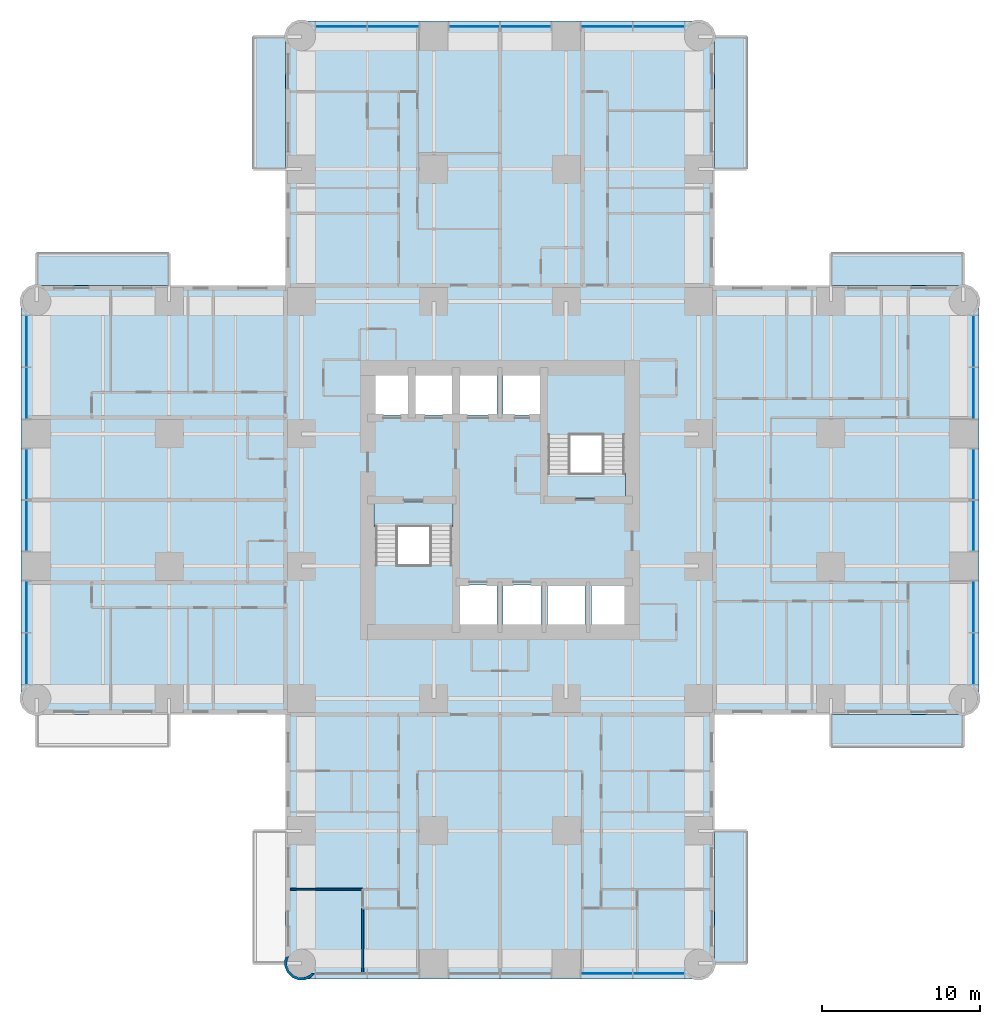
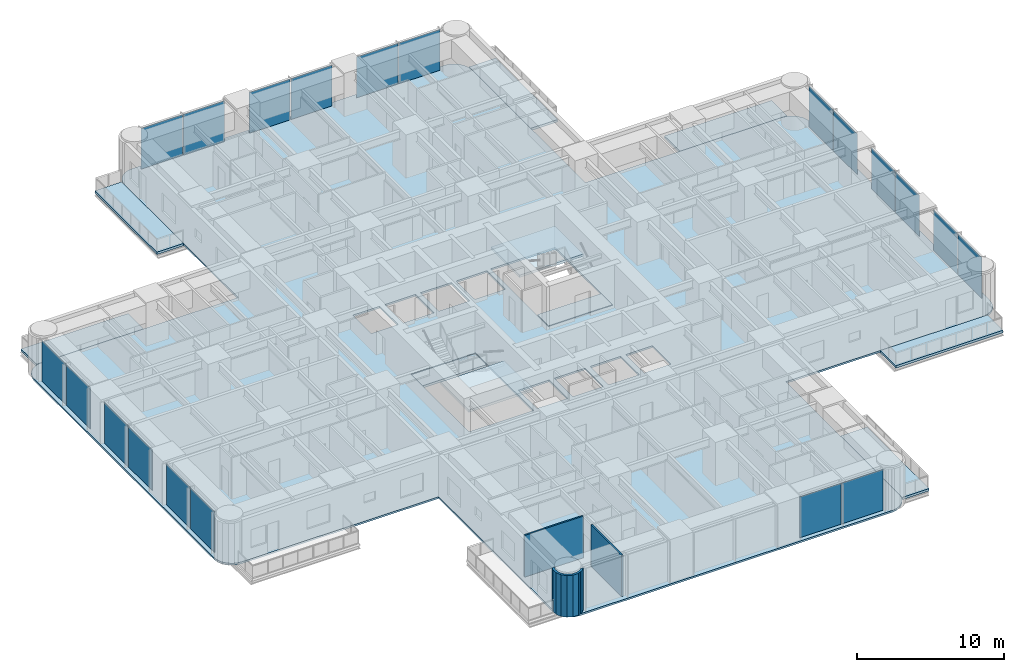
# One storey, part 6 of 17: 20 plates, 11 slabs, 3 walls, 6 elements without a shape of their own.
"""IFC4 building model written with IfcOpenShell, lengths in metres."""

from ifc_helpers import new_model, si_unit, direction, frame, frame_2d, origin, origin_2d, place, context, subcontext, project, spatial, polyline, rectangle, outline, extrude, material, layer, layer_set, type_object, element, aggregate, save


model = new_model("IFC4")

# Units and contexts
model_context = context("Model", 3, precision=1e-05, world=origin(), true_north=direction((0.0, 1.0)))
body_context = subcontext(model_context, "Body", "Model", "MODEL_VIEW")
ifc_project = project(units=[si_unit("LENGTHUNIT", "METRE"), si_unit("AREAUNIT", "SQUARE_METRE"), si_unit("VOLUMEUNIT", "CUBIC_METRE"), si_unit("PLANEANGLEUNIT", "RADIAN"), si_unit("MASSUNIT", "GRAM", prefix="KILO")], contexts=[model_context])

# Site, building, storey
site_placement = place(None, origin())
site = spatial("IfcSite", under=ifc_project, at=site_placement, CompositionType="ELEMENT")
building_placement = place(site_placement, origin())
building = spatial("IfcBuilding", under=site, at=building_placement, Name="Torre Alcanfor", CompositionType="ELEMENT")
storey_placement = place(building_placement, frame((0.0, 0.0, 66.89990234375)))
storey = spatial("IfcBuildingStorey", under=building, at=storey_placement, Name="L16", CompositionType="ELEMENT", Elevation=66.89990234375)

# Slabs
ifc_material_1 = material(Name="Concrete f'c 35 MPa", Category="concrete")
ifc_layer_1 = layer(ifc_material_1, 0.199951171875)
ifc_layer_set_1 = layer_set([ifc_layer_1], Name="Balcony slab 200")
slab_type_1 = type_object("IfcSlabType", Name="Balcony slab 200", PredefinedType="FLOOR", material=ifc_layer_set_1)
slab_1_placement = place(storey_placement, frame((0.0, 0.0, -0.199951171875)))
element("IfcSlab", 1, at=slab_1_placement, inside=storey, type_object=slab_type_1, Name="Balcony L16-N1", PredefinedType="FLOOR", context=body_context, shape_type="SweptSolid", body=[
    extrude(outline(polyline([(15.800048828125, 50.39990234375), (15.800048828125, 58.800048828125), (13.699951171875, 58.800048828125), (13.699951171875, 50.39990234375), (15.800048828125, 50.39990234375)])), origin(), (0.0, 0.0, 1.0), 0.199951171875),
])
slab_2_placement = place(storey_placement, frame((0.0, 0.0, -0.199951171875)))
element("IfcSlab", 2, at=slab_2_placement, inside=storey, type_object=slab_type_1, Name="Balcony L16-N2", PredefinedType="FLOOR", context=body_context, shape_type="SweptSolid", body=[
    extrude(outline(polyline([(45.10009765625, 50.39990234375), (45.10009765625, 58.800048828125), (43.0, 58.800048828125), (43.0, 50.39990234375), (45.10009765625, 50.39990234375)])), origin(), (0.0, 0.0, 1.0), 0.199951171875),
])
slab_3_placement = place(storey_placement, frame((0.0, 0.0, -0.199951171875)))
element("IfcSlab", 3, at=slab_3_placement, inside=storey, type_object=slab_type_1, Name="Balcony L16-E1", PredefinedType="FLOOR", context=body_context, shape_type="SweptSolid", body=[
    extrude(outline(polyline([(50.39990234375, 43.0), (58.800048828125, 43.0), (58.800048828125, 45.10009765625), (50.39990234375, 45.10009765625), (50.39990234375, 43.0)])), origin(), (0.0, 0.0, 1.0), 0.199951171875),
])
slab_4_placement = place(storey_placement, frame((0.0, 0.0, -0.199951171875)))
element("IfcSlab", 4, at=slab_4_placement, inside=storey, type_object=slab_type_1, Name="Balcony L16-E2", PredefinedType="FLOOR", context=body_context, shape_type="SweptSolid", body=[
    extrude(outline(polyline([(50.39990234375, 13.699951171875), (58.800048828125, 13.699951171875), (58.800048828125, 15.800048828125), (50.39990234375, 15.800048828125), (50.39990234375, 13.699951171875)])), origin(), (0.0, 0.0, 1.0), 0.199951171875),
])
slab_5_placement = place(storey_placement, frame((0.0, 0.0, -0.199951171875)))
element("IfcSlab", 5, at=slab_5_placement, inside=storey, type_object=slab_type_1, Name="Balcony L16-S1", PredefinedType="FLOOR", context=body_context, shape_type="SweptSolid", body=[
    extrude(outline(polyline([(43.0, 8.39990234375), (43.0, 0.0), (45.10009765625, 0.0), (45.10009765625, 8.39990234375), (43.0, 8.39990234375)])), origin(), (0.0, 0.0, 1.0), 0.199951171875),
])
slab_6_placement = place(storey_placement, frame((0.0, 0.0, -0.199951171875)))
element("IfcSlab", 6, at=slab_6_placement, inside=storey, type_object=slab_type_1, Name="Balcony L16-W2", PredefinedType="FLOOR", context=body_context, shape_type="SweptSolid", body=[
    extrude(outline(polyline([(8.39990234375, 45.10009765625), (0.0, 45.10009765625), (0.0, 43.0), (8.39990234375, 43.0), (8.39990234375, 45.10009765625)])), origin(), (0.0, 0.0, 1.0), 0.199951171875),
])

# Curtain wall, plates
ifc_material_2 = material(Name="Aluminium and glass", Category="aluminium")
curtain_wall_type = type_object("IfcCurtainWallType", Name="CW-A unitised apartment glazing with vertical FIN", PredefinedType="NOTDEFINED", material=ifc_material_2)
curtain_wall_1_placement = place(storey_placement, origin())
curtain_wall_1 = element("IfcCurtainWall", 7, at=curtain_wall_1_placement, inside=storey, type_object=curtain_wall_type, Name="Curtain wall CW-A L16 2", PredefinedType="NOTDEFINED")
ifc_material_3 = material(Name="Glass", Category="glass")
ifc_layer_2 = layer(ifc_material_3, 0.028076171875)
ifc_layer_set_2 = layer_set([ifc_layer_2], Name="CW-A clear double glazed unit")
plate_type = type_object("IfcPlateType", Name="CW-A clear double glazed unit", PredefinedType="CURTAIN_PANEL", material=ifc_layer_set_2)
plate_1_placement = place(storey_placement, frame((-0.64990234375, 39.484130859375, 0.0), z_axis=(0.0, 0.0, 1.0), x_axis=(0.0, -1.0, 0.0)))
plate_1 = element("IfcPlate", 8, at=plate_1_placement, type_object=plate_type, Name="CW-A panel 1.1.1", PredefinedType="CURTAIN_PANEL", context=body_context, shape_type="SweptSolid", body=[
    extrude(rectangle(XDim=3.232666015625, YDim=0.028076171875, at=origin_2d()), origin(), (0.0, 0.0, 1.0), 3.385009765625),
])
plate_2_placement = place(storey_placement, frame((-0.64990234375, 36.186279296875, 0.0), z_axis=(0.0, 0.0, 1.0), x_axis=(0.0, -1.0, 0.0)))
plate_2 = element("IfcPlate", 9, at=plate_2_placement, type_object=plate_type, Name="CW-A panel 1.2.1", PredefinedType="CURTAIN_PANEL", context=body_context, shape_type="SweptSolid", body=[
    extrude(rectangle(XDim=3.232666015625, YDim=0.028076171875, at=origin_2d()), origin(), (0.0, 0.0, 1.0), 3.385009765625),
])
plate_3_placement = place(storey_placement, frame((-0.64990234375, 31.03125, 0.0), z_axis=(0.0, 0.0, 1.0), x_axis=(0.0, -1.0, 0.0)))
plate_3 = element("IfcPlate", 10, at=plate_3_placement, type_object=plate_type, Name="CW-A panel 2.1.1", PredefinedType="CURTAIN_PANEL", context=body_context, shape_type="SweptSolid", body=[
    extrude(rectangle(XDim=3.197509765625, YDim=0.028076171875, at=origin_2d()), origin(), (0.0, 0.0, 1.0), 3.385009765625),
])
plate_4_placement = place(storey_placement, frame((-0.64990234375, 27.768798828125, 0.0), z_axis=(0.0, 0.0, 1.0), x_axis=(0.0, -1.0, 0.0)))
plate_4 = element("IfcPlate", 11, at=plate_4_placement, type_object=plate_type, Name="CW-A panel 2.2.1", PredefinedType="CURTAIN_PANEL", context=body_context, shape_type="SweptSolid", body=[
    extrude(rectangle(XDim=3.197509765625, YDim=0.028076171875, at=origin_2d()), origin(), (0.0, 0.0, 1.0), 3.385009765625),
])
plate_5_placement = place(storey_placement, frame((-0.64990234375, 22.613525390625, 0.0), z_axis=(0.0, 0.0, 1.0), x_axis=(0.0, -1.0, 0.0)))
plate_5 = element("IfcPlate", 12, at=plate_5_placement, type_object=plate_type, Name="CW-A panel 3.1.1", PredefinedType="CURTAIN_PANEL", context=body_context, shape_type="SweptSolid", body=[
    extrude(rectangle(XDim=3.232666015625, YDim=0.028076171875, at=origin_2d()), origin(), (0.0, 0.0, 1.0), 3.385009765625),
])
plate_6_placement = place(storey_placement, frame((-0.64990234375, 19.31591796875, 0.0), z_axis=(0.0, 0.0, 1.0), x_axis=(0.0, -1.0, 0.0)))
plate_6 = element("IfcPlate", 13, at=plate_6_placement, type_object=plate_type, Name="CW-A panel 3.2.1", PredefinedType="CURTAIN_PANEL", context=body_context, shape_type="SweptSolid", body=[
    extrude(rectangle(XDim=3.232666015625, YDim=0.028076171875, at=origin_2d()), origin(), (0.0, 0.0, 1.0), 3.385009765625),
])
aggregate(curtain_wall_1, [plate_1, plate_2, plate_3, plate_4, plate_5, plate_6])

curtain_wall_2_placement = place(storey_placement, origin())
curtain_wall_2 = element("IfcCurtainWall", 14, at=curtain_wall_2_placement, inside=storey, type_object=curtain_wall_type, Name="Curtain wall CW-A L16 5", PredefinedType="NOTDEFINED")
plate_7_placement = place(storey_placement, frame((36.186279296875, -0.64990234375, 0.0), z_axis=(0.0, 0.0, 1.0), x_axis=(1.0, 0.0, 0.0)))
plate_7 = element("IfcPlate", 15, at=plate_7_placement, type_object=plate_type, Name="CW-A panel 3.1.1", PredefinedType="CURTAIN_PANEL", context=body_context, shape_type="SweptSolid", body=[
    extrude(rectangle(XDim=3.232666015625, YDim=0.028076171875, at=origin_2d()), origin(), (0.0, 0.0, 1.0), 3.385009765625),
])
plate_8_placement = place(storey_placement, frame((39.484130859375, -0.64990234375, 0.0), z_axis=(0.0, 0.0, 1.0), x_axis=(1.0, 0.0, 0.0)))
plate_8 = element("IfcPlate", 16, at=plate_8_placement, type_object=plate_type, Name="CW-A panel 3.2.1", PredefinedType="CURTAIN_PANEL", context=body_context, shape_type="SweptSolid", body=[
    extrude(rectangle(XDim=3.232666015625, YDim=0.028076171875, at=origin_2d()), origin(), (0.0, 0.0, 1.0), 3.385009765625),
])
aggregate(curtain_wall_2, [plate_7, plate_8])

curtain_wall_3_placement = place(storey_placement, origin())
curtain_wall_3 = element("IfcCurtainWall", 17, at=curtain_wall_3_placement, inside=storey, type_object=curtain_wall_type, Name="Curtain wall CW-A L16 8", PredefinedType="NOTDEFINED")
plate_9_placement = place(storey_placement, frame((59.449951171875, 19.31591796875, 0.0), z_axis=(0.0, 0.0, 1.0), x_axis=(0.0, 1.0, 0.0)))
plate_9 = element("IfcPlate", 18, at=plate_9_placement, type_object=plate_type, Name="CW-A panel 1.1.1", PredefinedType="CURTAIN_PANEL", context=body_context, shape_type="SweptSolid", body=[
    extrude(rectangle(XDim=3.232666015625, YDim=0.028076171875, at=origin_2d()), origin(), (0.0, 0.0, 1.0), 3.385009765625),
])
plate_10_placement = place(storey_placement, frame((59.449951171875, 22.613525390625, 0.0), z_axis=(0.0, 0.0, 1.0), x_axis=(0.0, 1.0, 0.0)))
plate_10 = element("IfcPlate", 19, at=plate_10_placement, type_object=plate_type, Name="CW-A panel 1.2.1", PredefinedType="CURTAIN_PANEL", context=body_context, shape_type="SweptSolid", body=[
    extrude(rectangle(XDim=3.232666015625, YDim=0.028076171875, at=origin_2d()), origin(), (0.0, 0.0, 1.0), 3.385009765625),
])
plate_11_placement = place(storey_placement, frame((59.449951171875, 27.768798828125, 0.0), z_axis=(0.0, 0.0, 1.0), x_axis=(0.0, 1.0, 0.0)))
plate_11 = element("IfcPlate", 20, at=plate_11_placement, type_object=plate_type, Name="CW-A panel 2.1.1", PredefinedType="CURTAIN_PANEL", context=body_context, shape_type="SweptSolid", body=[
    extrude(rectangle(XDim=3.197509765625, YDim=0.028076171875, at=origin_2d()), origin(), (0.0, 0.0, 1.0), 3.385009765625),
])
plate_12_placement = place(storey_placement, frame((59.449951171875, 31.03125, 0.0), z_axis=(0.0, 0.0, 1.0), x_axis=(0.0, 1.0, 0.0)))
plate_12 = element("IfcPlate", 21, at=plate_12_placement, type_object=plate_type, Name="CW-A panel 2.2.1", PredefinedType="CURTAIN_PANEL", context=body_context, shape_type="SweptSolid", body=[
    extrude(rectangle(XDim=3.197509765625, YDim=0.028076171875, at=origin_2d()), origin(), (0.0, 0.0, 1.0), 3.385009765625),
])
plate_13_placement = place(storey_placement, frame((59.449951171875, 36.186279296875, 0.0), z_axis=(0.0, 0.0, 1.0), x_axis=(0.0, 1.0, 0.0)))
plate_13 = element("IfcPlate", 22, at=plate_13_placement, type_object=plate_type, Name="CW-A panel 3.1.1", PredefinedType="CURTAIN_PANEL", context=body_context, shape_type="SweptSolid", body=[
    extrude(rectangle(XDim=3.232666015625, YDim=0.028076171875, at=origin_2d()), origin(), (0.0, 0.0, 1.0), 3.385009765625),
])
plate_14_placement = place(storey_placement, frame((59.449951171875, 39.484130859375, 0.0), z_axis=(0.0, 0.0, 1.0), x_axis=(0.0, 1.0, 0.0)))
plate_14 = element("IfcPlate", 23, at=plate_14_placement, type_object=plate_type, Name="CW-A panel 3.2.1", PredefinedType="CURTAIN_PANEL", context=body_context, shape_type="SweptSolid", body=[
    extrude(rectangle(XDim=3.232666015625, YDim=0.028076171875, at=origin_2d()), origin(), (0.0, 0.0, 1.0), 3.385009765625),
])
aggregate(curtain_wall_3, [plate_9, plate_10, plate_11, plate_12, plate_13, plate_14])

curtain_wall_4_placement = place(storey_placement, origin())
curtain_wall_4 = element("IfcCurtainWall", 24, at=curtain_wall_4_placement, inside=storey, type_object=curtain_wall_type, Name="Curtain wall CW-A L16 11", PredefinedType="NOTDEFINED")
plate_15_placement = place(storey_placement, frame((39.484130859375, 59.449951171875, 0.0), z_axis=(0.0, 0.0, 1.0), x_axis=(-1.0, 0.0, 0.0)))
plate_15 = element("IfcPlate", 25, at=plate_15_placement, type_object=plate_type, Name="CW-A panel 1.1.1", PredefinedType="CURTAIN_PANEL", context=body_context, shape_type="SweptSolid", body=[
    extrude(rectangle(XDim=3.232666015625, YDim=0.028076171875, at=origin_2d()), origin(), (0.0, 0.0, 1.0), 3.385009765625),
])
plate_16_placement = place(storey_placement, frame((36.186279296875, 59.449951171875, 0.0), z_axis=(0.0, 0.0, 1.0), x_axis=(-1.0, 0.0, 0.0)))
plate_16 = element("IfcPlate", 26, at=plate_16_placement, type_object=plate_type, Name="CW-A panel 1.2.1", PredefinedType="CURTAIN_PANEL", context=body_context, shape_type="SweptSolid", body=[
    extrude(rectangle(XDim=3.232666015625, YDim=0.028076171875, at=origin_2d()), origin(), (0.0, 0.0, 1.0), 3.385009765625),
])
plate_17_placement = place(storey_placement, frame((31.03125, 59.449951171875, 0.0), z_axis=(0.0, 0.0, 1.0), x_axis=(-1.0, 0.0, 0.0)))
plate_17 = element("IfcPlate", 27, at=plate_17_placement, type_object=plate_type, Name="CW-A panel 2.1.1", PredefinedType="CURTAIN_PANEL", context=body_context, shape_type="SweptSolid", body=[
    extrude(rectangle(XDim=3.197509765625, YDim=0.028076171875, at=origin_2d()), origin(), (0.0, 0.0, 1.0), 3.385009765625),
])
plate_18_placement = place(storey_placement, frame((27.768798828125, 59.449951171875, 0.0), z_axis=(0.0, 0.0, 1.0), x_axis=(-1.0, 0.0, 0.0)))
plate_18 = element("IfcPlate", 28, at=plate_18_placement, type_object=plate_type, Name="CW-A panel 2.2.1", PredefinedType="CURTAIN_PANEL", context=body_context, shape_type="SweptSolid", body=[
    extrude(rectangle(XDim=3.197509765625, YDim=0.028076171875, at=origin_2d()), origin(), (0.0, 0.0, 1.0), 3.385009765625),
])
plate_19_placement = place(storey_placement, frame((22.613525390625, 59.449951171875, 0.0), z_axis=(0.0, 0.0, 1.0), x_axis=(-1.0, 0.0, 0.0)))
plate_19 = element("IfcPlate", 29, at=plate_19_placement, type_object=plate_type, Name="CW-A panel 3.1.1", PredefinedType="CURTAIN_PANEL", context=body_context, shape_type="SweptSolid", body=[
    extrude(rectangle(XDim=3.232666015625, YDim=0.028076171875, at=origin_2d()), origin(), (0.0, 0.0, 1.0), 3.385009765625),
])
plate_20_placement = place(storey_placement, frame((19.31591796875, 59.449951171875, 0.0), z_axis=(0.0, 0.0, 1.0), x_axis=(-1.0, 0.0, 0.0)))
plate_20 = element("IfcPlate", 30, at=plate_20_placement, type_object=plate_type, Name="CW-A panel 3.2.1", PredefinedType="CURTAIN_PANEL", context=body_context, shape_type="SweptSolid", body=[
    extrude(rectangle(XDim=3.232666015625, YDim=0.028076171875, at=origin_2d()), origin(), (0.0, 0.0, 1.0), 3.385009765625),
])
aggregate(curtain_wall_4, [plate_15, plate_16, plate_17, plate_18, plate_19, plate_20])

# Slab
ifc_material_4 = material(Name="Concrete f'c 35 MPa", Category="concrete")
ifc_layer_3 = layer(ifc_material_4, 0.14990234375)
ifc_layer_set_3 = layer_set([ifc_layer_3], Name="Composite floor 150 on metal deck")
slab_type_2 = type_object("IfcSlabType", Name="Composite floor 150 on metal deck", PredefinedType="FLOOR", material=ifc_layer_set_3)
slab_7_placement = place(storey_placement, frame((0.0, 0.0, -0.14990234375)))
element("IfcSlab", 31, at=slab_7_placement, inside=storey, type_object=slab_type_2, Name="Floor slab L16", PredefinedType="FLOOR", context=body_context, shape_type="SweptSolid", body=[
    extrude(outline(polyline([(15.800048828125, 43.0), (0.39990234375, 43.0), (0.03759765625, 42.952392578125), (-0.300048828125, 42.8125), (-0.58984375, 42.58984375), (-0.8125, 42.300048828125), (-0.952392578125, 41.96240234375), (-1.0, 41.60009765625), (-1.0, 17.199951171875), (-0.952392578125, 16.837646484375), (-0.8125, 16.5), (-0.58984375, 16.210205078125), (-0.300048828125, 15.987548828125), (0.03759765625, 15.84765625), (0.39990234375, 15.800048828125), (15.800048828125, 15.800048828125), (15.800048828125, 0.39990234375), (15.84765625, 0.03759765625), (15.987548828125, -0.300048828125), (16.210205078125, -0.58984375), (16.5, -0.8125), (16.837646484375, -0.952392578125), (17.199951171875, -1.0), (41.60009765625, -1.0), (41.96240234375, -0.952392578125), (42.300048828125, -0.8125), (42.58984375, -0.58984375), (42.8125, -0.300048828125), (42.952392578125, 0.03759765625), (43.0, 0.39990234375), (43.0, 15.800048828125), (58.39990234375, 15.800048828125), (58.76220703125, 15.84765625), (59.10009765625, 15.987548828125), (59.389892578125, 16.210205078125), (59.6123046875, 16.5), (59.752197265625, 16.837646484375), (59.800048828125, 17.199951171875), (59.800048828125, 41.60009765625), (59.752197265625, 41.96240234375), (59.6123046875, 42.300048828125), (59.389892578125, 42.58984375), (59.10009765625, 42.8125), (58.76220703125, 42.952392578125), (58.39990234375, 43.0), (43.0, 43.0), (43.0, 58.39990234375), (42.952392578125, 58.76220703125), (42.8125, 59.10009765625), (42.58984375, 59.389892578125), (42.300048828125, 59.6123046875), (41.96240234375, 59.752197265625), (41.60009765625, 59.800048828125), (17.199951171875, 59.800048828125), (16.837646484375, 59.752197265625), (16.5, 59.6123046875), (16.210205078125, 59.389892578125), (15.987548828125, 59.10009765625), (15.84765625, 58.76220703125), (15.800048828125, 58.39990234375), (15.800048828125, 43.0)]), holes=[polyline([(21.419921875, 21.419921875), (26.47998046875, 21.419921875), (26.47998046875, 29.280029296875), (21.419921875, 29.280029296875), (21.419921875, 21.419921875)]), polyline([(32.320068359375, 29.52001953125), (37.3798828125, 29.52001953125), (37.3798828125, 37.3798828125), (32.320068359375, 37.3798828125), (32.320068359375, 29.52001953125)]), polyline([(26.800048828125, 21.5), (29.199951171875, 21.5), (29.199951171875, 24.0), (26.800048828125, 24.0), (26.800048828125, 21.5)]), polyline([(29.60009765625, 21.5), (32.0, 21.5), (32.0, 24.0), (29.60009765625, 24.0), (29.60009765625, 21.5)]), polyline([(32.39990234375, 21.5), (34.800048828125, 21.5), (34.800048828125, 24.0), (32.39990234375, 24.0), (32.39990234375, 21.5)]), polyline([(35.199951171875, 21.5), (37.300048828125, 21.5), (37.300048828125, 24.0), (35.199951171875, 24.0), (35.199951171875, 21.5)]), polyline([(21.5, 34.800048828125), (23.60009765625, 34.800048828125), (23.60009765625, 37.300048828125), (21.5, 37.300048828125), (21.5, 34.800048828125)]), polyline([(24.0, 34.800048828125), (26.39990234375, 34.800048828125), (26.39990234375, 37.300048828125), (24.0, 37.300048828125), (24.0, 34.800048828125)]), polyline([(26.800048828125, 34.800048828125), (29.199951171875, 34.800048828125), (29.199951171875, 37.300048828125), (26.800048828125, 37.300048828125), (26.800048828125, 34.800048828125)]), polyline([(29.60009765625, 34.800048828125), (32.0, 34.800048828125), (32.0, 37.300048828125), (29.60009765625, 37.300048828125), (29.60009765625, 34.800048828125)])]), origin(), (0.0, 0.0, 1.0), 0.14990234375),
])

# Stair, slabs
ifc_material_5 = material(Name="Concrete f'c 35 MPa", Category="concrete")
stair_type_1 = type_object("IfcStairType", Name="Exit stair S1 1400 wide", PredefinedType="HALF_TURN_STAIR", material=ifc_material_5)
stair_1_placement = place(storey_placement, origin())
stair_1 = element("IfcStair", 32, at=stair_1_placement, inside=storey, type_object=stair_type_1, Name="Stair S1 L16 to L17", PredefinedType="HALF_TURN_STAIR")
ifc_material_6 = material(Name="Concrete f'c 35 MPa", Category="concrete")
ifc_layer_4 = layer(ifc_material_6, 0.199951171875)
ifc_layer_set_4 = layer_set([ifc_layer_4], Name="Stair landing 200")
slab_type_3 = type_object("IfcSlabType", Name="Stair landing 200", PredefinedType="LANDING", material=ifc_layer_set_4)
slab_8_placement = place(storey_placement, frame((0.0, 0.0, -0.199951171875)))
slab_8 = element("IfcSlab", 33, at=slab_8_placement, type_object=slab_type_3, Name="S1 landing 1", PredefinedType="LANDING", context=body_context, shape_type="SweptSolid", body=[
    extrude(outline(polyline([(21.419921875, 27.699951171875), (26.429931640625, 27.699951171875), (26.429931640625, 29.22998046875), (21.419921875, 29.22998046875), (21.419921875, 27.699951171875)])), origin(), (0.0, 0.0, 1.0), 0.199951171875),
])
slab_9_placement = place(storey_placement, frame((0.0, 0.0, 1.60009765625)))
slab_9 = element("IfcSlab", 34, at=slab_9_placement, type_object=slab_type_3, Name="S1 landing 2", PredefinedType="LANDING", context=body_context, shape_type="SweptSolid", body=[
    extrude(outline(polyline([(21.419921875, 21.419921875), (26.429931640625, 21.419921875), (26.429931640625, 25.280029296875), (21.419921875, 25.280029296875), (21.419921875, 21.419921875)])), origin(), (0.0, 0.0, 1.0), 0.199951171875),
])
aggregate(stair_1, [slab_8, slab_9])

ifc_material_7 = material(Name="Concrete f'c 35 MPa", Category="concrete")
stair_type_2 = type_object("IfcStairType", Name="Exit stair S2 1400 wide", PredefinedType="HALF_TURN_STAIR", material=ifc_material_7)
stair_2_placement = place(storey_placement, origin())
stair_2 = element("IfcStair", 35, at=stair_2_placement, inside=storey, type_object=stair_type_2, Name="Stair S2 L16 to L17", PredefinedType="HALF_TURN_STAIR")
slab_10_placement = place(storey_placement, frame((0.0, 0.0, -0.199951171875)))
slab_10 = element("IfcSlab", 36, at=slab_10_placement, type_object=slab_type_3, Name="S2 landing 1", PredefinedType="LANDING", context=body_context, shape_type="SweptSolid", body=[
    extrude(outline(polyline([(32.3701171875, 29.570068359375), (37.3798828125, 29.570068359375), (37.3798828125, 31.10009765625), (32.3701171875, 31.10009765625), (32.3701171875, 29.570068359375)])), origin(), (0.0, 0.0, 1.0), 0.199951171875),
])
slab_11_placement = place(storey_placement, frame((0.0, 0.0, 1.60009765625)))
slab_11 = element("IfcSlab", 37, at=slab_11_placement, type_object=slab_type_3, Name="S2 landing 2", PredefinedType="LANDING", context=body_context, shape_type="SweptSolid", body=[
    extrude(outline(polyline([(32.3701171875, 33.52001953125), (37.3798828125, 33.52001953125), (37.3798828125, 37.3798828125), (32.3701171875, 37.3798828125), (32.3701171875, 33.52001953125)])), origin(), (0.0, 0.0, 1.0), 0.199951171875),
])
aggregate(stair_2, [slab_10, slab_11])

# Walls
ifc_material_8 = material(Name="Gypsum board on steel studs", Category="steel")
ifc_layer_5 = layer(ifc_material_8, 0.1201171875)
ifc_layer_set_5 = layer_set([ifc_layer_5], Name="Apartment partition 120")
wall_type_1 = type_object("IfcWallType", Name="Apartment partition 120", PredefinedType="PARTITIONING", material=ifc_layer_set_5)
wall_1_placement = place(storey_placement, frame((20.68603515625, 4.699951171875, 0.0), z_axis=(0.0, 0.0, 1.0), x_axis=(-1.0, 0.0, 0.0)))
element("IfcWall", 38, at=wall_1_placement, inside=storey, type_object=wall_type_1, Name="Partition L16-S2-BED3 / L16-S2-MASTER", PredefinedType="PARTITIONING", context=body_context, shape_type="SweptSolid", body=[
    extrude(rectangle(XDim=4.5859375, YDim=0.1201171875, at=frame_2d((2.29296875, 0.0))), origin(), (0.0, 0.0, 1.0), 3.4501953125),
])
wall_2_placement = place(storey_placement, frame((20.68603515625, -0.64990234375, 0.0), z_axis=(0.0, 0.0, 1.0), x_axis=(0.0, 1.0, 0.0)))
element("IfcWall", 39, at=wall_2_placement, inside=storey, type_object=wall_type_1, Name="Partition L16-S2-BED2 / L16-S2-MASTER", PredefinedType="PARTITIONING", context=body_context, shape_type="SweptSolid", body=[
    extrude(rectangle(XDim=4.14990234375, YDim=0.1201171875, at=frame_2d((2.074951171875, 0.0))), origin(), (0.0, 0.0, 1.0), 3.4501953125),
])
ifc_material_9 = material(Name="Limestone cladding", Category="masonry")
ifc_layer_6 = layer(ifc_material_9, 0.0400390625, Name="Facing")
ifc_material_10 = material(Name="Ventilated air cavity")
ifc_layer_7 = layer(ifc_material_10, 0.02001953125, ventilated=True, Name="Ventilated joint")
ifc_material_11 = material(Name="Mineral wool insulation", Category="insulation")
ifc_layer_8 = layer(ifc_material_11, 0.10009765625, Name="Insulation")
ifc_material_12 = material(Name="Concrete f'c 35 MPa", Category="concrete")
ifc_layer_9 = layer(ifc_material_12, 0.139892578125, Name="Backing")
ifc_layer_set_6 = layer_set([ifc_layer_6, ifc_layer_7, ifc_layer_8, ifc_layer_9], Name="Rounded corner pier stone-clad 300")
wall_type_2 = type_object("IfcWallType", Name="Rounded corner pier stone-clad 300", PredefinedType="SOLIDWALL", material=ifc_layer_set_6)
wall_3_placement = place(storey_placement, frame((15.890092843, 0.363962863, 0.0), z_axis=(0.0, 0.0, 1.0), x_axis=(-0.377204953059, -0.926129809145, 0.0)))
element("IfcWall", 40, at=wall_3_placement, inside=storey, type_object=wall_type_2, Name="Corner pier L16 15", PredefinedType="SOLIDWALL", context=body_context, shape_type="SweptSolid", body=[
    extrude(outline(polyline([(0.36025406326845444, 1.8033251535395152), (0.5088520451897254, 1.7407402151136773), (0.7605729288027181, 1.4858036812916837), (0.8957625945963965, 1.1538802047718164), (0.8938847377533284, 0.7953914035812757), (0.7547773157275899, 0.46510295554213366), (0.4997067670481534, 0.21306387496571194), (0.16778329052828606, 0.07787420917203358), (-0.09994023900030424, 0.0795504548732244), (0.0006804239564057041, -0.09694899646014049), (0.029999294732247404, -0.08026261581225796), (0.19856690358048068, -0.0812004843578153), (0.5888257049928043, 0.07774867310804906), (0.8888185520201115, 0.37418200048294215), (1.0525847078153452, 0.7630186897929918), (1.0551554850896743, 1.184529802966568), (0.896114236570817, 1.5750147102893275), (0.7776681844062314, 1.6949582431572732), (0.7691216165340404, 1.727592391840862), (0.7502462480266835, 1.7228043636692119), (0.599680909195924, 1.8750075573166347), (0.2945300212676607, 2.0035278056043833), (0.2809636666415082, 1.9980023424248052), (0.36025406326845444, 1.8033251535395152)])), origin(), (0.0, 0.0, 1.0), 3.4501953125),
])

save(model, "model.ifc")
